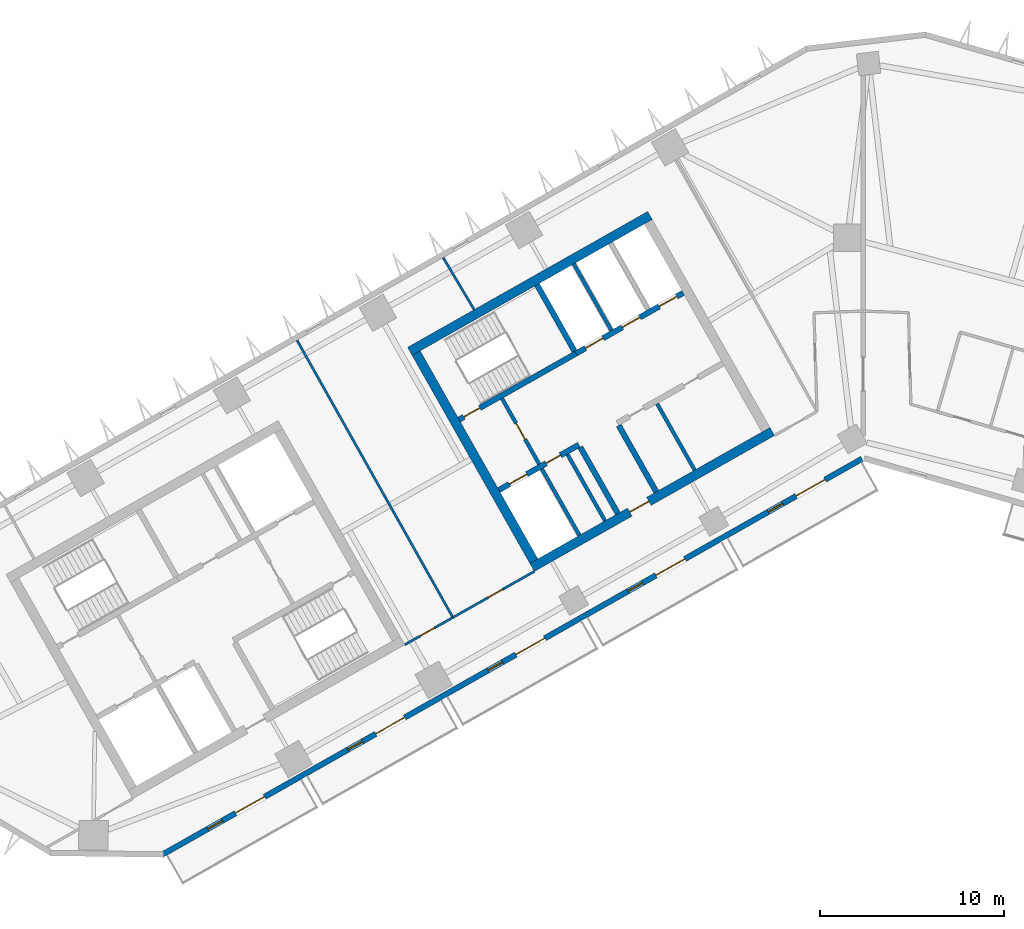
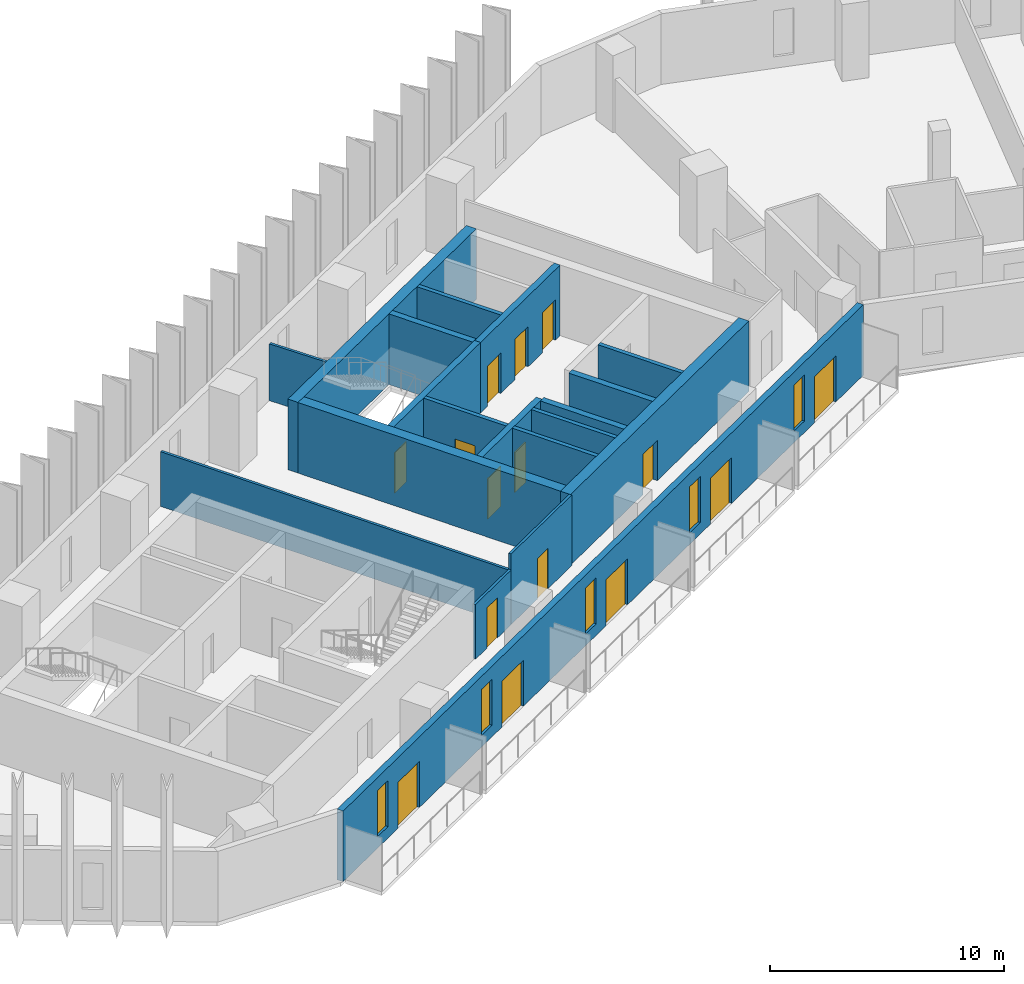
# One storey, part 4 of 10: 19 walls, 15 doors, 5 windows, 20 openings.
"""IFC4 building model written with IfcOpenShell, lengths in metres."""

from ifc_helpers import new_model, si_unit, direction, frame, frame_2d, origin, place, context, subcontext, project, spatial, rectangle, extrude, material, layer, layer_set, type_object, element, fill, save


model = new_model("IFC4")

# Units and contexts
model_context = context("Model", 3, precision=1e-05, world=origin(), true_north=direction((0.0, 1.0)))
body_context = subcontext(model_context, "Body", "Model", "MODEL_VIEW")
ifc_project = project(units=[si_unit("LENGTHUNIT", "METRE"), si_unit("AREAUNIT", "SQUARE_METRE"), si_unit("VOLUMEUNIT", "CUBIC_METRE"), si_unit("PLANEANGLEUNIT", "RADIAN"), si_unit("MASSUNIT", "GRAM", prefix="KILO")], contexts=[model_context])

# Site, building, storey
site_placement = place(None, origin())
site = spatial("IfcSite", under=ifc_project, at=site_placement, CompositionType="ELEMENT")
building_placement = place(site_placement, origin())
building = spatial("IfcBuilding", under=site, at=building_placement, Name="Binnacle Exchange Tower", CompositionType="ELEMENT")
storey_placement = place(building_placement, frame((0.0, 0.0, 162.89990234375)))
storey = spatial("IfcBuildingStorey", under=building, at=storey_placement, Name="L34", CompositionType="ELEMENT", Elevation=162.89990234375)

# Wall
ifc_material_1 = material(Name="Gypsum partition fire rated")
ifc_layer_1 = layer(ifc_material_1, 0.199951171875)
ifc_layer_set_1 = layer_set([ifc_layer_1], Name="Core partition 200")
wall_type_1 = type_object("IfcWallType", Name="Core partition 200", PredefinedType="PARTITIONING", material=ifc_layer_set_1)
wall_1_placement = place(storey_placement, frame((-11.201904296875, 50.96240234375, 0.0), z_axis=(0.0, 0.0, 1.0), x_axis=(0.492441017253, -0.870345818929, 0.0)))
element("IfcWall", 1, at=wall_1_placement, inside=storey, type_object=wall_type_1, Name="Core wall CRWC19", PredefinedType="PARTITIONING", context=body_context, shape_type="SweptSolid", body=[
    extrude(rectangle(XDim=4.150146484375, YDim=0.199951171875, at=frame_2d((2.0751953125, 0.0))), origin(), (0.0, 0.0, 1.0), 3.68017578125),
])

# Wall, openings, doors
ifc_material_2 = material(Name="Concrete C70/85", Category="concrete")
ifc_layer_2 = layer(ifc_material_2, 0.300048828125)
ifc_layer_set_2 = layer_set([ifc_layer_2], Name="Core wall - front 300")
wall_type_2 = type_object("IfcWallType", Name="Core wall - front 300", PredefinedType="SOLIDWALL", material=ifc_layer_set_2)
wall_2_placement = place(storey_placement, frame((-19.80517578125, 46.26708984375, 0.0), z_axis=(0.0, 0.0, 1.0), x_axis=(0.870353598469, 0.492427267353, 0.0)))
wall_2 = element("IfcWall", 2, at=wall_2_placement, inside=storey, type_object=wall_type_2, Name="Core wall CRWC2", PredefinedType="SOLIDWALL", context=body_context, shape_type="SweptSolid", body=[
    extrude(rectangle(XDim=5.0, YDim=0.300048828125, at=frame_2d((2.5, 0.0))), origin(), (0.0, 0.0, 1.0), 3.68017578125),
])
opening_1_placement = place(wall_2_placement, frame((0.64990234375, 0.0, 0.0)))
opening_1 = element("IfcOpeningElement", 3, at=opening_1_placement, cuts=wall_2, Name="Opening LD14", PredefinedType="OPENING", context=body_context, shape_type="SweptSolid", body=[
    extrude(rectangle(XDim=1.10009765625, YDim=2.10009765625, at=frame_2d((0.550048828125, 1.050048828125))), frame((0.0, 0.159912109375, 0.0), z_axis=(0.0, -1.0, 0.0), x_axis=(1.0, 0.0, 0.0)), (0.0, 0.0, 1.0), 0.320068359375),
])
opening_2_placement = place(wall_2_placement, frame((2.949951171875, 0.0, 0.0)))
opening_2 = element("IfcOpeningElement", 4, at=opening_2_placement, cuts=wall_2, Name="Opening DC14", PredefinedType="OPENING", context=body_context, shape_type="SweptSolid", body=[
    extrude(rectangle(XDim=0.89990234375, YDim=2.10009765625, at=frame_2d((0.449951171875, 1.050048828125))), frame((0.0, 0.159912109375, 0.0), z_axis=(0.0, -1.0, 0.0), x_axis=(1.0, 0.0, 0.0)), (0.0, 0.0, 1.0), 0.320068359375),
])
ifc_material_3 = material(Name="Steel door leaf", Category="steel")
door_type_1 = type_object("IfcDoorType", Name="Fire door - lift landing 1100", OperationType="NOTDEFINED", PredefinedType="DOOR", material=ifc_material_3)
door_1_placement = place(opening_1_placement, origin())
door_1 = element("IfcDoor", 5, at=door_1_placement, inside=storey, type_object=door_type_1, Name="Landing door LD14 L34", OperationType="DOUBLE_DOOR_SLIDING", OverallHeight=2.10009765625, OverallWidth=1.10009765625, PredefinedType="DOOR", context=body_context, shape_type="SweptSolid", body=[
    extrude(rectangle(XDim=1.10009765625, YDim=2.10009765625, at=frame_2d((0.550048828125, 1.050048828125))), frame((0.0, 0.02490234375, 0.0), z_axis=(0.0, -1.0, 0.0), x_axis=(1.0, 0.0, 0.0)), (0.0, 0.0, 1.0), 0.050048828125),
])
fill(opening_1, door_1)
door_type_2 = type_object("IfcDoorType", Name="Fire door 900", OperationType="NOTDEFINED", PredefinedType="DOOR", material=ifc_material_3)
door_2_placement = place(opening_2_placement, frame((0.89990234375, 0.0, 0.0), z_axis=(0.0, 0.0, 1.0), x_axis=(-1.0, 0.0, 0.0)))
door_2 = element("IfcDoor", 6, at=door_2_placement, inside=storey, type_object=door_type_2, Name="Core room door CLEANERS STORE", OperationType="SINGLE_SWING_LEFT", OverallHeight=2.10009765625, OverallWidth=0.89990234375, PredefinedType="DOOR", context=body_context, shape_type="SweptSolid", body=[
    extrude(rectangle(XDim=0.89990234375, YDim=2.10009765625, at=frame_2d((0.449951171875, 1.050048828125))), frame((0.0, 0.02490234375, 0.0), z_axis=(0.0, -1.0, 0.0), x_axis=(1.0, 0.0, 0.0)), (0.0, 0.0, 1.0), 0.050048828125),
])
fill(opening_2, door_2)

wall_3_placement = place(storey_placement, frame((-15.6181640625, 53.69140625, 0.0), z_axis=(0.0, 0.0, 1.0), x_axis=(0.870363236066, 0.492410232738, 0.0)))
wall_3 = element("IfcWall", 7, at=wall_3_placement, inside=storey, type_object=wall_type_2, Name="Core wall CRWC5", PredefinedType="SOLIDWALL", context=body_context, shape_type="SweptSolid", body=[
    extrude(rectangle(XDim=6.699951171875, YDim=0.300048828125, at=frame_2d((3.35009765625, 0.0))), origin(), (0.0, 0.0, 1.0), 3.68017578125),
])
opening_3_placement = place(wall_3_placement, frame((0.60009765625, 0.0, 0.0)))
opening_3 = element("IfcOpeningElement", 8, at=opening_3_placement, cuts=wall_3, Name="Opening LD5", PredefinedType="OPENING", context=body_context, shape_type="SweptSolid", body=[
    extrude(rectangle(XDim=1.10009765625, YDim=2.10009765625, at=frame_2d((0.550048828125, 1.050048828125))), frame((0.0, 0.159912109375, 0.0), z_axis=(0.0, -1.0, 0.0), x_axis=(1.0, 0.0, 0.0)), (0.0, 0.0, 1.0), 0.320068359375),
])
opening_4_placement = place(wall_3_placement, frame((2.89990234375, 0.0, 0.0)))
opening_4 = element("IfcOpeningElement", 9, at=opening_4_placement, cuts=wall_3, Name="Opening LD6", PredefinedType="OPENING", context=body_context, shape_type="SweptSolid", body=[
    extrude(rectangle(XDim=1.10009765625, YDim=2.10009765625, at=frame_2d((0.550048828125, 1.050048828125))), frame((0.0, 0.159912109375, 0.0), z_axis=(0.0, -1.0, 0.0), x_axis=(1.0, 0.0, 0.0)), (0.0, 0.0, 1.0), 0.320068359375),
])
opening_5_placement = place(wall_3_placement, frame((5.199951171875, 0.0, 0.0)))
opening_5 = element("IfcOpeningElement", 10, at=opening_5_placement, cuts=wall_3, Name="Opening LD7", PredefinedType="OPENING", context=body_context, shape_type="SweptSolid", body=[
    extrude(rectangle(XDim=1.10009765625, YDim=2.10009765625, at=frame_2d((0.550048828125, 1.050048828125))), frame((0.0, 0.159912109375, 0.0), z_axis=(0.0, -1.0, 0.0), x_axis=(1.0, 0.0, 0.0)), (0.0, 0.0, 1.0), 0.320068359375),
])
door_3_placement = place(opening_3_placement, origin())
door_3 = element("IfcDoor", 11, at=door_3_placement, inside=storey, type_object=door_type_1, Name="Landing door LD5 L34", OperationType="DOUBLE_DOOR_SLIDING", OverallHeight=2.10009765625, OverallWidth=1.10009765625, PredefinedType="DOOR", context=body_context, shape_type="SweptSolid", body=[
    extrude(rectangle(XDim=1.10009765625, YDim=2.10009765625, at=frame_2d((0.550048828125, 1.050048828125))), frame((0.0, 0.02490234375, 0.0), z_axis=(0.0, -1.0, 0.0), x_axis=(1.0, 0.0, 0.0)), (0.0, 0.0, 1.0), 0.050048828125),
])
fill(opening_3, door_3)
door_4_placement = place(opening_4_placement, origin())
door_4 = element("IfcDoor", 12, at=door_4_placement, inside=storey, type_object=door_type_1, Name="Landing door LD6 L34", OperationType="DOUBLE_DOOR_SLIDING", OverallHeight=2.10009765625, OverallWidth=1.10009765625, PredefinedType="DOOR", context=body_context, shape_type="SweptSolid", body=[
    extrude(rectangle(XDim=1.10009765625, YDim=2.10009765625, at=frame_2d((0.550048828125, 1.050048828125))), frame((0.0, 0.02490234375, 0.0), z_axis=(0.0, -1.0, 0.0), x_axis=(1.0, 0.0, 0.0)), (0.0, 0.0, 1.0), 0.050048828125),
])
fill(opening_4, door_4)
door_5_placement = place(opening_5_placement, origin())
door_5 = element("IfcDoor", 13, at=door_5_placement, inside=storey, type_object=door_type_1, Name="Landing door LD7 L34", OperationType="DOUBLE_DOOR_SLIDING", OverallHeight=2.10009765625, OverallWidth=1.10009765625, PredefinedType="DOOR", context=body_context, shape_type="SweptSolid", body=[
    extrude(rectangle(XDim=1.10009765625, YDim=2.10009765625, at=frame_2d((0.550048828125, 1.050048828125))), frame((0.0, 0.02490234375, 0.0), z_axis=(0.0, -1.0, 0.0), x_axis=(1.0, 0.0, 0.0)), (0.0, 0.0, 1.0), 0.050048828125),
])
fill(opening_5, door_5)

# Walls
for number, where, z_axis, x_axis, name in (
    (14, (-15.37939453125, 48.5986328125, 0.0), (0.0, 0.0, 1.0), (0.492396453737, -0.870371031427, 0.0), "Core wall CRWC13"),
    (15, (-13.29052734375, 49.780517578125, 0.0), (0.0, 0.0, 1.0), (0.492396453737, -0.870371031427, 0.0), "Core wall CRWC15"),
):
    element("IfcWall", number, at=place(storey_placement, frame(where, z_axis=z_axis, x_axis=x_axis)), inside=storey, type_object=wall_type_2, Name=name, PredefinedType="SOLIDWALL", context=body_context, shape_type="SweptSolid", body=[
        extrude(rectangle(XDim=4.14990234375, YDim=0.300048828125, at=frame_2d((2.074951171875, 0.0))), origin(), (0.0, 0.0, 1.0), 3.68017578125),
    ])

# Wall, opening, door
ifc_layer_3 = layer(ifc_material_2, 0.5)
ifc_layer_set_3 = layer_set([ifc_layer_3], Name="Core wall - outer 500")
wall_type_3 = type_object("IfcWallType", Name="Core wall - outer 500", PredefinedType="SOLIDWALL", material=ifc_layer_set_3)
wall_4_placement = place(storey_placement, frame((-17.999755859375, 42.060791015625, 0.0), z_axis=(0.0, 0.0, 1.0), x_axis=(0.870356627484, 0.492421913601, 0.0)))
wall_4 = element("IfcWall", 16, at=wall_4_placement, inside=storey, type_object=wall_type_3, Name="Core wall CRWC1", PredefinedType="SOLIDWALL", context=body_context, shape_type="SweptSolid", body=[
    extrude(rectangle(XDim=14.999755859375, YDim=0.5, at=frame_2d((7.5, 0.0))), origin(), (0.0, 0.0, 1.0), 3.68017578125),
])
opening_6_placement = place(wall_4_placement, frame((6.10009765625, 0.0, 0.0)))
opening_6 = element("IfcOpeningElement", 17, at=opening_6_placement, cuts=wall_4, Name="Opening DC7", PredefinedType="OPENING", context=body_context, shape_type="SweptSolid", body=[
    extrude(rectangle(XDim=1.199951171875, YDim=2.10009765625, at=frame_2d((0.60009765625, 1.050048828125))), frame((0.0, 0.260009765625, 0.0), z_axis=(0.0, -1.0, 0.0), x_axis=(1.0, 0.0, 0.0)), (0.0, 0.0, 1.0), 0.52001953125),
])
door_type_3 = type_object("IfcDoorType", Name="Fire door 1200", OperationType="NOTDEFINED", PredefinedType="DOOR", material=ifc_material_3)
door_6_placement = place(opening_6_placement, frame((1.199951171875, 0.0, 0.0), z_axis=(0.0, 0.0, 1.0), x_axis=(-1.0, 0.0, 0.0)))
door_6 = element("IfcDoor", 18, at=door_6_placement, inside=storey, type_object=door_type_3, Name="Lift lobby entrance door core C", OperationType="SINGLE_SWING_RIGHT", OverallHeight=2.10009765625, OverallWidth=1.199951171875, PredefinedType="DOOR", context=body_context, shape_type="SweptSolid", body=[
    extrude(rectangle(XDim=1.199951171875, YDim=2.10009765625, at=frame_2d((0.60009765625, 1.050048828125))), frame((0.0, 0.02490234375, 0.0), z_axis=(0.0, -1.0, 0.0), x_axis=(1.0, 0.0, 0.0)), (0.0, 0.0, 1.0), 0.050048828125),
])
fill(opening_6, door_6)

# Walls
wall_5_placement = place(storey_placement, frame((-24.6474609375, 53.810546875, 0.0), z_axis=(0.0, 0.0, 1.0), x_axis=(0.87034965173, 0.492434243055, 0.0)))
element("IfcWall", 19, at=wall_5_placement, inside=storey, type_object=wall_type_3, Name="Core wall CRWC6", PredefinedType="SOLIDWALL", context=body_context, shape_type="SweptSolid", body=[
    extrude(rectangle(XDim=15.0, YDim=0.5, at=frame_2d((7.5, 0.0))), origin(), (0.0, 0.0, 1.0), 3.68017578125),
])
wall_6_placement = place(storey_placement, frame((-24.306884765625, 53.716064453125, 0.0), z_axis=(0.0, 0.0, 1.0), x_axis=(0.492427267353, -0.870353598469, 0.0)))
element("IfcWall", 20, at=wall_6_placement, inside=storey, type_object=wall_type_3, Name="Core wall CRWC7", PredefinedType="SOLIDWALL", context=body_context, shape_type="SweptSolid", body=[
    extrude(rectangle(XDim=13.0, YDim=0.5, at=frame_2d((6.5, 0.0))), origin(), (0.0, 0.0, 1.0), 3.68017578125),
])

# Wall, opening, door
ifc_layer_4 = layer(ifc_material_2, 0.300048828125)
ifc_layer_set_4 = layer_set([ifc_layer_4], Name="Core wall - stair 300")
wall_type_4 = type_object("IfcWallType", Name="Core wall - stair 300", PredefinedType="SOLIDWALL", material=ifc_layer_set_4)
wall_7_placement = place(storey_placement, frame((-21.9716796875, 50.0966796875, 0.0), z_axis=(0.0, 0.0, 1.0), x_axis=(0.870350976978, 0.492431900747, 0.0)))
wall_7 = element("IfcWall", 21, at=wall_7_placement, inside=storey, type_object=wall_type_4, Name="Core wall CRWC4", PredefinedType="SOLIDWALL", context=body_context, shape_type="SweptSolid", body=[
    extrude(rectangle(XDim=7.300048828125, YDim=0.300048828125, at=frame_2d((3.64990234375, 0.0))), origin(), (0.0, 0.0, 1.0), 3.68017578125),
])
opening_7_placement = place(wall_7_placement, frame((0.300048828125, 0.0, 0.0)))
opening_7 = element("IfcOpeningElement", 22, at=opening_7_placement, cuts=wall_7, Name="Opening DC1", PredefinedType="OPENING", context=body_context, shape_type="SweptSolid", body=[
    extrude(rectangle(XDim=1.0, YDim=2.10009765625, at=frame_2d((0.5, 1.050048828125))), frame((0.0, 0.159912109375, 0.0), z_axis=(0.0, -1.0, 0.0), x_axis=(1.0, 0.0, 0.0)), (0.0, 0.0, 1.0), 0.320068359375),
])
door_type_4 = type_object("IfcDoorType", Name="Fire door 1000", OperationType="NOTDEFINED", PredefinedType="DOOR", material=ifc_material_3)
door_7_placement = place(opening_7_placement, origin())
door_7 = element("IfcDoor", 23, at=door_7_placement, inside=storey, type_object=door_type_4, Name="Stair door ST-C1", OperationType="SINGLE_SWING_LEFT", OverallHeight=2.10009765625, OverallWidth=1.0, PredefinedType="DOOR", context=body_context, shape_type="SweptSolid", body=[
    extrude(rectangle(XDim=1.0, YDim=2.10009765625, at=frame_2d((0.5, 1.050048828125))), frame((0.0, 0.02490234375, 0.0), z_axis=(0.0, -1.0, 0.0), x_axis=(1.0, 0.0, 0.0)), (0.0, 0.0, 1.0), 0.050048828125),
])
fill(opening_7, door_7)

# Wall
wall_8_placement = place(storey_placement, frame((-17.735595703125, 57.433837890625, 0.0), z_axis=(0.0, 0.0, 1.0), x_axis=(0.492421666909, -0.870356767055, 0.0)))
element("IfcWall", 24, at=wall_8_placement, inside=storey, type_object=wall_type_4, Name="Core wall CRWC14", PredefinedType="SOLIDWALL", context=body_context, shape_type="SweptSolid", body=[
    extrude(rectangle(XDim=4.14990234375, YDim=0.300048828125, at=frame_2d((2.074951171875, 0.0))), origin(), (0.0, 0.0, 1.0), 3.68017578125),
])

# Wall, openings, doors, windows
ifc_material_4 = material(Name="Bronze aluminium cladding", Category="aluminium")
ifc_layer_5 = layer(ifc_material_4, 0.300048828125)
ifc_layer_set_5 = layer_set([ifc_layer_5], Name="External wall - spandrel 300")
wall_type_5 = type_object("IfcWallType", Name="External wall - spandrel 300", PredefinedType="STANDARD", material=ifc_layer_set_5)
wall_9_placement = place(storey_placement, frame((-0.0546875, 47.968994140625, 0.0), z_axis=(0.0, 0.0, 1.0), x_axis=(-0.870355730478, -0.492423499058, 0.0)))
wall_9 = element("IfcWall", 25, at=wall_9_placement, inside=storey, type_object=wall_type_5, Name="External wall EW-G01 L34", PredefinedType="STANDARD", context=body_context, shape_type="SweptSolid", body=[
    extrude(rectangle(XDim=43.750244140625, YDim=0.300048828125, at=frame_2d((21.875, 0.0))), origin(), (0.0, 0.0, 1.0), 3.68017578125),
])
opening_8_placement = place(wall_9_placement, frame((39.976806640625, 0.0, 0.60009765625)))
opening_8 = element("IfcOpeningElement", 26, at=opening_8_placement, cuts=wall_9, Name="Opening WS3", PredefinedType="OPENING", context=body_context, shape_type="SweptSolid", body=[
    extrude(rectangle(XDim=0.89990234375, YDim=2.39990234375, at=frame_2d((0.449951171875, 1.199951171875))), frame((0.0, 0.159912109375, 0.0), z_axis=(0.0, -1.0, 0.0), x_axis=(1.0, 0.0, 0.0)), (0.0, 0.0, 1.0), 0.320068359375),
])
opening_9_placement = place(wall_9_placement, frame((37.338134765625, 0.0, 0.0)))
opening_9 = element("IfcOpeningElement", 27, at=opening_9_placement, cuts=wall_9, Name="Opening D-FS11-01", PredefinedType="OPENING", context=body_context, shape_type="SweptSolid", body=[
    extrude(rectangle(XDim=1.800048828125, YDim=2.39990234375, at=frame_2d((0.89990234375, 1.199951171875))), frame((0.0, 0.159912109375, 0.0), z_axis=(0.0, -1.0, 0.0), x_axis=(1.0, 0.0, 0.0)), (0.0, 0.0, 1.0), 0.320068359375),
])
opening_10_placement = place(wall_9_placement, frame((31.222412109375, 0.0, 0.60009765625)))
opening_10 = element("IfcOpeningElement", 28, at=opening_10_placement, cuts=wall_9, Name="Opening WS3", PredefinedType="OPENING", context=body_context, shape_type="SweptSolid", body=[
    extrude(rectangle(XDim=0.89990234375, YDim=2.39990234375, at=frame_2d((0.449951171875, 1.199951171875))), frame((0.0, 0.159912109375, 0.0), z_axis=(0.0, -1.0, 0.0), x_axis=(1.0, 0.0, 0.0)), (0.0, 0.0, 1.0), 0.320068359375),
])
opening_11_placement = place(wall_9_placement, frame((28.583740234375, 0.0, 0.0)))
opening_11 = element("IfcOpeningElement", 29, at=opening_11_placement, cuts=wall_9, Name="Opening D-FS11-02", PredefinedType="OPENING", context=body_context, shape_type="SweptSolid", body=[
    extrude(rectangle(XDim=1.800048828125, YDim=2.39990234375, at=frame_2d((0.89990234375, 1.199951171875))), frame((0.0, 0.159912109375, 0.0), z_axis=(0.0, -1.0, 0.0), x_axis=(1.0, 0.0, 0.0)), (0.0, 0.0, 1.0), 0.320068359375),
])
opening_12_placement = place(wall_9_placement, frame((22.4677734375, 0.0, 0.60009765625)))
opening_12 = element("IfcOpeningElement", 30, at=opening_12_placement, cuts=wall_9, Name="Opening WS3", PredefinedType="OPENING", context=body_context, shape_type="SweptSolid", body=[
    extrude(rectangle(XDim=0.89990234375, YDim=2.39990234375, at=frame_2d((0.449951171875, 1.199951171875))), frame((0.0, 0.159912109375, 0.0), z_axis=(0.0, -1.0, 0.0), x_axis=(1.0, 0.0, 0.0)), (0.0, 0.0, 1.0), 0.320068359375),
])
opening_13_placement = place(wall_9_placement, frame((19.8291015625, 0.0, 0.0)))
opening_13 = element("IfcOpeningElement", 31, at=opening_13_placement, cuts=wall_9, Name="Opening D-FS11-03", PredefinedType="OPENING", context=body_context, shape_type="SweptSolid", body=[
    extrude(rectangle(XDim=1.800048828125, YDim=2.39990234375, at=frame_2d((0.89990234375, 1.199951171875))), frame((0.0, 0.159912109375, 0.0), z_axis=(0.0, -1.0, 0.0), x_axis=(1.0, 0.0, 0.0)), (0.0, 0.0, 1.0), 0.320068359375),
])
opening_14_placement = place(wall_9_placement, frame((13.713134765625, 0.0, 0.60009765625)))
opening_14 = element("IfcOpeningElement", 32, at=opening_14_placement, cuts=wall_9, Name="Opening WS3", PredefinedType="OPENING", context=body_context, shape_type="SweptSolid", body=[
    extrude(rectangle(XDim=0.89990234375, YDim=2.39990234375, at=frame_2d((0.449951171875, 1.199951171875))), frame((0.0, 0.159912109375, 0.0), z_axis=(0.0, -1.0, 0.0), x_axis=(1.0, 0.0, 0.0)), (0.0, 0.0, 1.0), 0.320068359375),
])
opening_15_placement = place(wall_9_placement, frame((11.07470703125, 0.0, 0.0)))
opening_15 = element("IfcOpeningElement", 33, at=opening_15_placement, cuts=wall_9, Name="Opening D-FS11-04", PredefinedType="OPENING", context=body_context, shape_type="SweptSolid", body=[
    extrude(rectangle(XDim=1.800048828125, YDim=2.39990234375, at=frame_2d((0.89990234375, 1.199951171875))), frame((0.0, 0.159912109375, 0.0), z_axis=(0.0, -1.0, 0.0), x_axis=(1.0, 0.0, 0.0)), (0.0, 0.0, 1.0), 0.320068359375),
])
opening_16_placement = place(wall_9_placement, frame((4.958740234375, 0.0, 0.60009765625)))
opening_16 = element("IfcOpeningElement", 34, at=opening_16_placement, cuts=wall_9, Name="Opening WS3", PredefinedType="OPENING", context=body_context, shape_type="SweptSolid", body=[
    extrude(rectangle(XDim=0.89990234375, YDim=2.39990234375, at=frame_2d((0.449951171875, 1.199951171875))), frame((0.0, 0.159912109375, 0.0), z_axis=(0.0, -1.0, 0.0), x_axis=(1.0, 0.0, 0.0)), (0.0, 0.0, 1.0), 0.320068359375),
])
opening_17_placement = place(wall_9_placement, frame((2.320068359375, 0.0, 0.0)))
opening_17 = element("IfcOpeningElement", 35, at=opening_17_placement, cuts=wall_9, Name="Opening D-FS11-05", PredefinedType="OPENING", context=body_context, shape_type="SweptSolid", body=[
    extrude(rectangle(XDim=1.800048828125, YDim=2.39990234375, at=frame_2d((0.89990234375, 1.199951171875))), frame((0.0, 0.159912109375, 0.0), z_axis=(0.0, -1.0, 0.0), x_axis=(1.0, 0.0, 0.0)), (0.0, 0.0, 1.0), 0.320068359375),
])
ifc_material_5 = material(Name="Bronze anodised aluminium frame", Category="aluminium")
door_type_5 = type_object("IfcDoorType", Name="DB DOOR 1800x2400", OperationType="DOUBLE_DOOR_SINGLE_SWING", PredefinedType="DOOR", material=ifc_material_5)
door_8_placement = place(opening_9_placement, origin())
door_8 = element("IfcDoor", 36, at=door_8_placement, inside=storey, type_object=door_type_5, Name="Door D-FS11-01 L34", OperationType="DOUBLE_DOOR_SINGLE_SWING", OverallHeight=2.39990234375, OverallWidth=1.800048828125, PredefinedType="DOOR", context=body_context, shape_type="SweptSolid", body=[
    extrude(rectangle(XDim=1.800048828125, YDim=2.39990234375, at=frame_2d((0.89990234375, 1.199951171875))), frame((0.0, 0.02490234375, 0.0), z_axis=(0.0, -1.0, 0.0), x_axis=(1.0, 0.0, 0.0)), (0.0, 0.0, 1.0), 0.050048828125),
])
fill(opening_9, door_8)
door_9_placement = place(opening_11_placement, origin())
door_9 = element("IfcDoor", 37, at=door_9_placement, inside=storey, type_object=door_type_5, Name="Door D-FS11-02 L34", OperationType="DOUBLE_DOOR_SINGLE_SWING", OverallHeight=2.39990234375, OverallWidth=1.800048828125, PredefinedType="DOOR", context=body_context, shape_type="SweptSolid", body=[
    extrude(rectangle(XDim=1.800048828125, YDim=2.39990234375, at=frame_2d((0.89990234375, 1.199951171875))), frame((0.0, 0.02490234375, 0.0), z_axis=(0.0, -1.0, 0.0), x_axis=(1.0, 0.0, 0.0)), (0.0, 0.0, 1.0), 0.050048828125),
])
fill(opening_11, door_9)
door_10_placement = place(opening_13_placement, origin())
door_10 = element("IfcDoor", 38, at=door_10_placement, inside=storey, type_object=door_type_5, Name="Door D-FS11-03 L34", OperationType="DOUBLE_DOOR_SINGLE_SWING", OverallHeight=2.39990234375, OverallWidth=1.800048828125, PredefinedType="DOOR", context=body_context, shape_type="SweptSolid", body=[
    extrude(rectangle(XDim=1.800048828125, YDim=2.39990234375, at=frame_2d((0.89990234375, 1.199951171875))), frame((0.0, 0.02490234375, 0.0), z_axis=(0.0, -1.0, 0.0), x_axis=(1.0, 0.0, 0.0)), (0.0, 0.0, 1.0), 0.050048828125),
])
fill(opening_13, door_10)
door_11_placement = place(opening_15_placement, origin())
door_11 = element("IfcDoor", 39, at=door_11_placement, inside=storey, type_object=door_type_5, Name="Door D-FS11-04 L34", OperationType="DOUBLE_DOOR_SINGLE_SWING", OverallHeight=2.39990234375, OverallWidth=1.800048828125, PredefinedType="DOOR", context=body_context, shape_type="SweptSolid", body=[
    extrude(rectangle(XDim=1.800048828125, YDim=2.39990234375, at=frame_2d((0.89990234375, 1.199951171875))), frame((0.0, 0.02490234375, 0.0), z_axis=(0.0, -1.0, 0.0), x_axis=(1.0, 0.0, 0.0)), (0.0, 0.0, 1.0), 0.050048828125),
])
fill(opening_15, door_11)
door_12_placement = place(opening_17_placement, origin())
door_12 = element("IfcDoor", 40, at=door_12_placement, inside=storey, type_object=door_type_5, Name="Door D-FS11-05 L34", OperationType="DOUBLE_DOOR_SINGLE_SWING", OverallHeight=2.39990234375, OverallWidth=1.800048828125, PredefinedType="DOOR", context=body_context, shape_type="SweptSolid", body=[
    extrude(rectangle(XDim=1.800048828125, YDim=2.39990234375, at=frame_2d((0.89990234375, 1.199951171875))), frame((0.0, 0.02490234375, 0.0), z_axis=(0.0, -1.0, 0.0), x_axis=(1.0, 0.0, 0.0)), (0.0, 0.0, 1.0), 0.050048828125),
])
fill(opening_17, door_12)
window_type = type_object("IfcWindowType", Name="WS3 WINDOW 900x2400", PartitioningType="SINGLE_PANEL", PredefinedType="WINDOW", material=ifc_material_5)
window_1_placement = place(opening_8_placement, origin())
window_1 = element("IfcWindow", 41, at=window_1_placement, inside=storey, type_object=window_type, Name="Window WS3 L34", OverallHeight=2.39990234375, OverallWidth=0.89990234375, PartitioningType="SINGLE_PANEL", PredefinedType="WINDOW", context=body_context, shape_type="SweptSolid", body=[
    extrude(rectangle(XDim=0.89990234375, YDim=2.39990234375, at=frame_2d((0.449951171875, 1.199951171875))), frame((0.0, 0.030029296875, 0.0), z_axis=(0.0, -1.0, 0.0), x_axis=(1.0, 0.0, 0.0)), (0.0, 0.0, 1.0), 0.06005859375),
])
fill(opening_8, window_1)
window_2_placement = place(opening_10_placement, origin())
window_2 = element("IfcWindow", 42, at=window_2_placement, inside=storey, type_object=window_type, Name="Window WS3 L34", OverallHeight=2.39990234375, OverallWidth=0.89990234375, PartitioningType="SINGLE_PANEL", PredefinedType="WINDOW", context=body_context, shape_type="SweptSolid", body=[
    extrude(rectangle(XDim=0.89990234375, YDim=2.39990234375, at=frame_2d((0.449951171875, 1.199951171875))), frame((0.0, 0.030029296875, 0.0), z_axis=(0.0, -1.0, 0.0), x_axis=(1.0, 0.0, 0.0)), (0.0, 0.0, 1.0), 0.06005859375),
])
fill(opening_10, window_2)
window_3_placement = place(opening_12_placement, origin())
window_3 = element("IfcWindow", 43, at=window_3_placement, inside=storey, type_object=window_type, Name="Window WS3 L34", OverallHeight=2.39990234375, OverallWidth=0.89990234375, PartitioningType="SINGLE_PANEL", PredefinedType="WINDOW", context=body_context, shape_type="SweptSolid", body=[
    extrude(rectangle(XDim=0.89990234375, YDim=2.39990234375, at=frame_2d((0.449951171875, 1.199951171875))), frame((0.0, 0.030029296875, 0.0), z_axis=(0.0, -1.0, 0.0), x_axis=(1.0, 0.0, 0.0)), (0.0, 0.0, 1.0), 0.06005859375),
])
fill(opening_12, window_3)
window_4_placement = place(opening_14_placement, origin())
window_4 = element("IfcWindow", 44, at=window_4_placement, inside=storey, type_object=window_type, Name="Window WS3 L34", OverallHeight=2.39990234375, OverallWidth=0.89990234375, PartitioningType="SINGLE_PANEL", PredefinedType="WINDOW", context=body_context, shape_type="SweptSolid", body=[
    extrude(rectangle(XDim=0.89990234375, YDim=2.39990234375, at=frame_2d((0.449951171875, 1.199951171875))), frame((0.0, 0.030029296875, 0.0), z_axis=(0.0, -1.0, 0.0), x_axis=(1.0, 0.0, 0.0)), (0.0, 0.0, 1.0), 0.06005859375),
])
fill(opening_14, window_4)
window_5_placement = place(opening_16_placement, origin())
window_5 = element("IfcWindow", 45, at=window_5_placement, inside=storey, type_object=window_type, Name="Window WS3 L34", OverallHeight=2.39990234375, OverallWidth=0.89990234375, PartitioningType="SINGLE_PANEL", PredefinedType="WINDOW", context=body_context, shape_type="SweptSolid", body=[
    extrude(rectangle(XDim=0.89990234375, YDim=2.39990234375, at=frame_2d((0.449951171875, 1.199951171875))), frame((0.0, 0.030029296875, 0.0), z_axis=(0.0, -1.0, 0.0), x_axis=(1.0, 0.0, 0.0)), (0.0, 0.0, 1.0), 0.06005859375),
])
fill(opening_16, window_5)

# Wall, opening, door
ifc_material_6 = material(Name="Masonry block wall", Category="masonry")
ifc_layer_6 = layer(ifc_material_6, 0.199951171875)
ifc_layer_set_6 = layer_set([ifc_layer_6], Name="Fire wall - vestibule 200")
wall_type_6 = type_object("IfcWallType", Name="Fire wall - vestibule 200", PredefinedType="PARTITIONING", material=ifc_layer_set_6)
wall_10_placement = place(storey_placement, frame((-19.635009765625, 51.246337890625, 0.0), z_axis=(0.0, 0.0, 1.0), x_axis=(0.492408451753, -0.87036424366, 0.0)))
wall_10 = element("IfcWall", 46, at=wall_10_placement, inside=storey, type_object=wall_type_6, Name="Core wall CRWC10", PredefinedType="PARTITIONING", context=body_context, shape_type="SweptSolid", body=[
    extrude(rectangle(XDim=4.099853515625, YDim=0.199951171875, at=frame_2d((2.0498046875, 0.0))), origin(), (0.0, 0.0, 1.0), 3.68017578125),
])
opening_18_placement = place(wall_10_placement, frame((1.550048828125, 0.0, 0.0)))
opening_18 = element("IfcOpeningElement", 47, at=opening_18_placement, cuts=wall_10, Name="Opening DC3", PredefinedType="OPENING", context=body_context, shape_type="SweptSolid", body=[
    extrude(rectangle(XDim=1.0, YDim=2.10009765625, at=frame_2d((0.5, 1.050048828125))), frame((0.0, 0.10986328125, 0.0), z_axis=(0.0, -1.0, 0.0), x_axis=(1.0, 0.0, 0.0)), (0.0, 0.0, 1.0), 0.219970703125),
])
door_13_placement = place(opening_18_placement, frame((1.0, 0.0, 0.0), z_axis=(0.0, 0.0, 1.0), x_axis=(-1.0, 0.0, 0.0)))
door_13 = element("IfcDoor", 48, at=door_13_placement, inside=storey, type_object=door_type_4, Name="Vestibule door VEST-W", OperationType="SINGLE_SWING_RIGHT", OverallHeight=2.10009765625, OverallWidth=1.0, PredefinedType="DOOR", context=body_context, shape_type="SweptSolid", body=[
    extrude(rectangle(XDim=1.0, YDim=2.10009765625, at=frame_2d((0.5, 1.050048828125))), frame((0.0, 0.02490234375, 0.0), z_axis=(0.0, -1.0, 0.0), x_axis=(1.0, 0.0, 0.0)), (0.0, 0.0, 1.0), 0.050048828125),
])
fill(opening_18, door_13)

# Wall
ifc_material_7 = material(Name="Gypsum partition")
ifc_layer_7 = layer(ifc_material_7, 0.125)
ifc_layer_set_7 = layer_set([ifc_layer_7], Name="Partition 125")
wall_type_7 = type_object("IfcWallType", Name="Partition 125", PredefinedType="PARTITIONING", material=ifc_layer_set_7)
wall_11_placement = place(storey_placement, frame((-30.784912109375, 54.410888671875, 0.0), z_axis=(0.0, 0.0, 1.0), x_axis=(0.490135904292, -0.871646026391, 0.0)))
element("IfcWall", 49, at=wall_11_placement, inside=storey, type_object=wall_type_7, Name="Partition W04", PredefinedType="PARTITIONING", context=body_context, shape_type="SweptSolid", body=[
    extrude(rectangle(XDim=17.294921875, YDim=0.125, at=frame_2d((8.6474609375, 0.0))), origin(), (0.0, 0.0, 1.0), 2.85205078125),
])

# Wall, opening, door
wall_12_placement = place(storey_placement, frame((-24.9189453125, 37.85888671875, 0.0), z_axis=(0.0, 0.0, 1.0), x_axis=(0.870368744559, 0.492400496034, 0.0)))
wall_12 = element("IfcWall", 50, at=wall_12_placement, inside=storey, type_object=wall_type_7, Name="Partition W05", PredefinedType="PARTITIONING", context=body_context, shape_type="SweptSolid", body=[
    extrude(rectangle(XDim=2.999755859375, YDim=0.125, at=frame_2d((1.5, 0.0))), origin(), (0.0, 0.0, 1.0), 2.85205078125),
])
opening_19_placement = place(wall_12_placement, frame((0.949951171875, 0.0, 0.0)))
opening_19 = element("IfcOpeningElement", 51, at=opening_19_placement, cuts=wall_12, Name="Opening DL32-02", PredefinedType="OPENING", context=body_context, shape_type="SweptSolid", body=[
    extrude(rectangle(XDim=0.89990234375, YDim=2.10009765625, at=frame_2d((0.449951171875, 1.050048828125))), frame((0.0, 0.072509765625, 0.0), z_axis=(0.0, -1.0, 0.0), x_axis=(1.0, 0.0, 0.0)), (0.0, 0.0, 1.0), 0.14501953125),
])
ifc_material_8 = material(Name="Timber door leaf", Category="wood")
door_type_6 = type_object("IfcDoorType", Name="Door 900", OperationType="NOTDEFINED", PredefinedType="DOOR", material=ifc_material_8)
door_14_placement = place(opening_19_placement, origin())
door_14 = element("IfcDoor", 52, at=door_14_placement, inside=storey, type_object=door_type_6, Name="Door DL32-02", OperationType="SINGLE_SWING_LEFT", OverallHeight=2.10009765625, OverallWidth=0.89990234375, PredefinedType="DOOR", context=body_context, shape_type="SweptSolid", body=[
    extrude(rectangle(XDim=0.89990234375, YDim=2.10009765625, at=frame_2d((0.449951171875, 1.050048828125))), frame((0.0, 0.02490234375, 0.0), z_axis=(0.0, -1.0, 0.0), x_axis=(1.0, 0.0, 0.0)), (0.0, 0.0, 1.0), 0.050048828125),
])
fill(opening_19, door_14)

# Wall
wall_13_placement = place(storey_placement, frame((-22.8349609375, 58.907958984375, 0.0), z_axis=(0.0, 0.0, 1.0), x_axis=(0.511113859879, -0.859513014584, 0.0)))
element("IfcWall", 53, at=wall_13_placement, inside=storey, type_object=wall_type_7, Name="Partition W06", PredefinedType="PARTITIONING", context=body_context, shape_type="SweptSolid", body=[
    extrude(rectangle(XDim=3.294921875, YDim=0.125, at=frame_2d((1.6474609375, 0.0))), origin(), (0.0, 0.0, 1.0), 2.960205078125),
])

# Wall, opening, door
wall_14_placement = place(storey_placement, frame((-22.30810546875, 39.3359375, 0.0), z_axis=(0.0, 0.0, 1.0), x_axis=(0.870351090701, 0.492431699747, 0.0)))
wall_14 = element("IfcWall", 54, at=wall_14_placement, inside=storey, type_object=wall_type_7, Name="Partition W07", PredefinedType="PARTITIONING", context=body_context, shape_type="SweptSolid", body=[
    extrude(rectangle(XDim=5.09130859375, YDim=0.125, at=frame_2d((2.545654296875, 0.0))), origin(), (0.0, 0.0, 1.0), 3.68017578125),
])
opening_20_placement = place(wall_14_placement, frame((2.199951171875, 0.0, 0.0)))
opening_20 = element("IfcOpeningElement", 55, at=opening_20_placement, cuts=wall_14, Name="Opening DL32-03", PredefinedType="OPENING", context=body_context, shape_type="SweptSolid", body=[
    extrude(rectangle(XDim=0.89990234375, YDim=2.10009765625, at=frame_2d((0.449951171875, 1.050048828125))), frame((0.0, 0.072509765625, 0.0), z_axis=(0.0, -1.0, 0.0), x_axis=(1.0, 0.0, 0.0)), (0.0, 0.0, 1.0), 0.14501953125),
])
door_15_placement = place(opening_20_placement, origin())
door_15 = element("IfcDoor", 56, at=door_15_placement, inside=storey, type_object=door_type_6, Name="Door DL32-03", OperationType="SINGLE_SWING_RIGHT", OverallHeight=2.10009765625, OverallWidth=0.89990234375, PredefinedType="DOOR", context=body_context, shape_type="SweptSolid", body=[
    extrude(rectangle(XDim=0.89990234375, YDim=2.10009765625, at=frame_2d((0.449951171875, 1.050048828125))), frame((0.0, 0.02490234375, 0.0), z_axis=(0.0, -1.0, 0.0), x_axis=(1.0, 0.0, 0.0)), (0.0, 0.0, 1.0), 0.050048828125),
])
fill(opening_20, door_15)

# Walls
ifc_layer_8 = layer(ifc_material_6, 0.199951171875)
ifc_layer_set_8 = layer_set([ifc_layer_8], Name="Riser wall 200")
wall_type_8 = type_object("IfcWallType", Name="Riser wall 200", PredefinedType="SOLIDWALL", material=ifc_layer_set_8)
wall_15_placement = place(storey_placement, frame((-16.07568359375, 48.20458984375, 0.0), z_axis=(0.0, 0.0, 1.0), x_axis=(0.492421666909, -0.870356767055, 0.0)))
element("IfcWall", 57, at=wall_15_placement, inside=storey, type_object=wall_type_8, Name="Core wall CRWC12", PredefinedType="SOLIDWALL", context=body_context, shape_type="SweptSolid", body=[
    extrude(rectangle(XDim=4.14990234375, YDim=0.199951171875, at=frame_2d((2.074951171875, 0.0))), origin(), (0.0, 0.0, 1.0), 3.68017578125),
])
ifc_layer_9 = layer(ifc_material_6, 0.199951171875)
ifc_layer_set_9 = layer_set([ifc_layer_9], Name="Shaft wall 200")
wall_type_9 = type_object("IfcWallType", Name="Shaft wall 200", PredefinedType="SOLIDWALL", material=ifc_layer_set_9)
for number, where, z_axis, x_axis, name in (
    (58, (-17.468505859375, 47.416748046875, 0.0), (0.0, 0.0, 1.0), (0.492441017253, -0.870345818929, 0.0), "Core wall CRWC9"),
    (59, (-15.73388671875, 58.56640625, 0.0), (0.0, 0.0, 1.0), (0.492441017253, -0.870345818929, 0.0), "Core wall CRWC18"),
):
    element("IfcWall", number, at=place(storey_placement, frame(where, z_axis=z_axis, x_axis=x_axis)), inside=storey, type_object=wall_type_9, Name=name, PredefinedType="SOLIDWALL", context=body_context, shape_type="SweptSolid", body=[
        extrude(rectangle(XDim=4.150146484375, YDim=0.199951171875, at=frame_2d((2.0751953125, 0.0))), origin(), (0.0, 0.0, 1.0), 3.68017578125),
    ])

save(model, "model.ifc")
